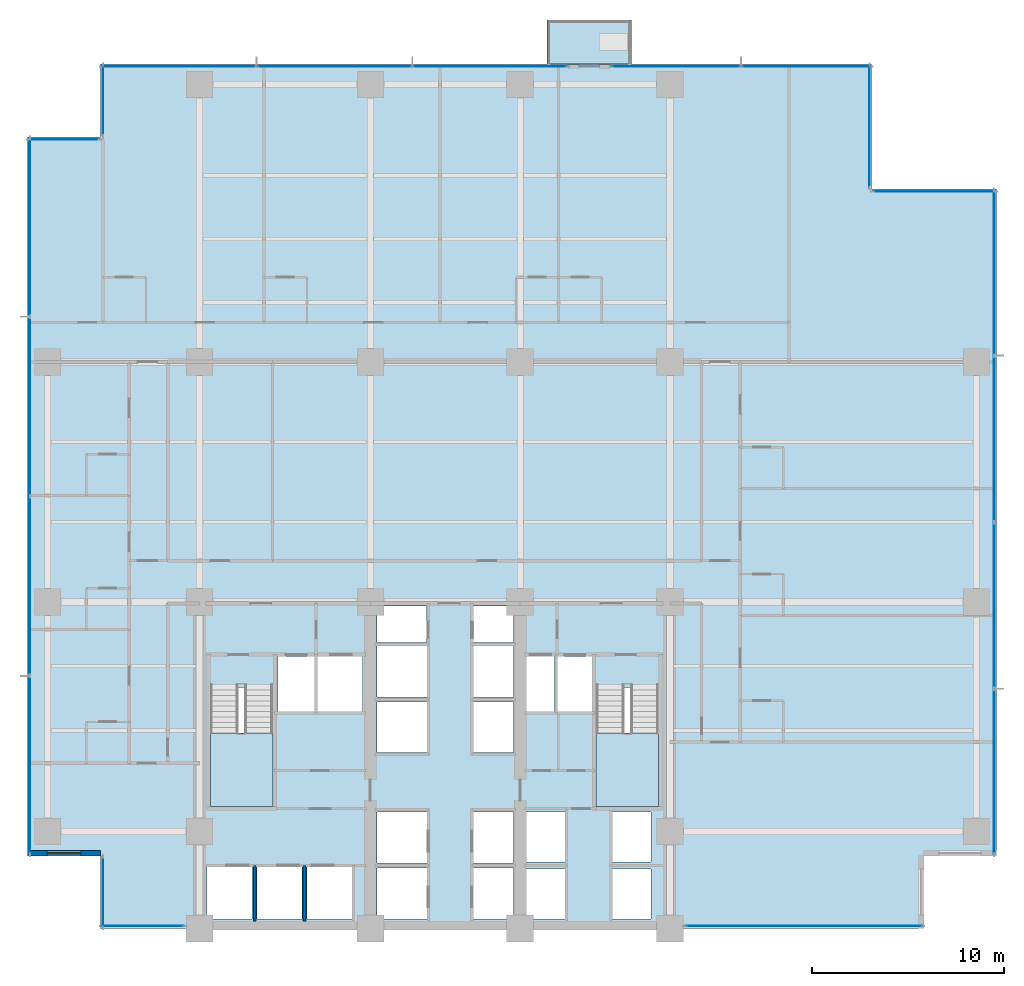
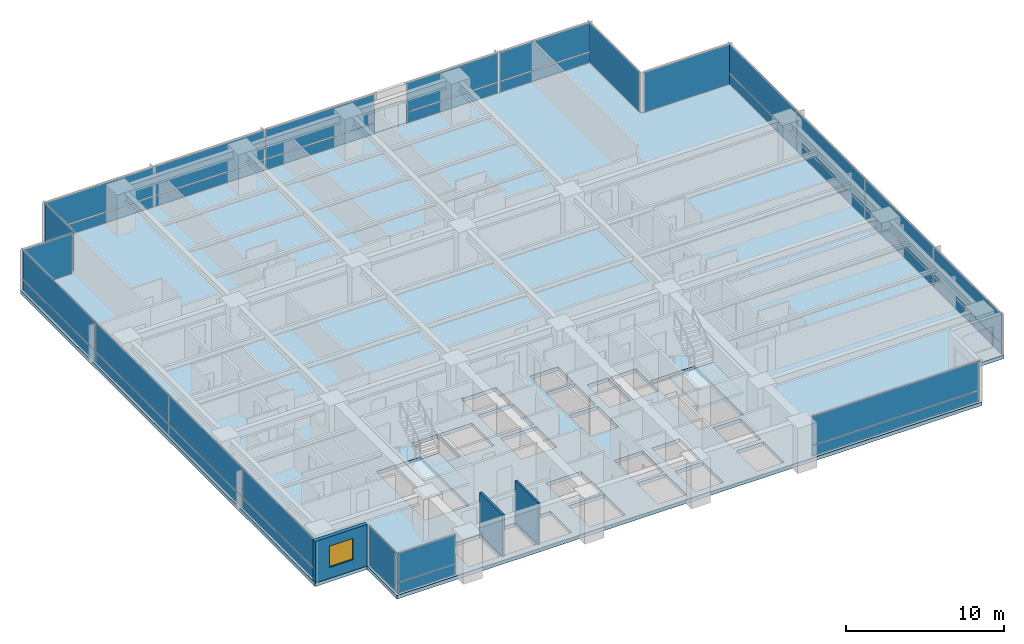
# One storey, part 6 of 16: 35 plates, 4 slabs, 3 walls, 1 window, 1 opening, 13 elements without a shape of their own.
"""IFC4 building model written with IfcOpenShell, lengths in metres."""

import ifcopenshell
import ifcopenshell.guid

model = None  # the IFC model being written
_history = None  # IfcOwnerHistory: only IFC2X3 demands one
_inside = {}  # id of a spatial element -> (the spatial element, [elements in it])
_under = {}  # id of a project, library or spatial element -> (it, [spatial elements below it])
_declared = {}  # id of a project -> (the project, [libraries it declares])
_typed = {}  # id of a type object -> (the type object, [elements of that type])
_made_of = {}  # id of a material, layer set ... -> (it, [elements and type objects made of it])


def new_model(schema):
    """Start an empty IFC model of exactly this schema.

    Asked for "IFC4X3", IfcOpenShell would pick the latest addendum, in which some entities
    have other attributes; the version numbers below select the first issue.
    IFC2X3 requires an IfcOwnerHistory on every rooted entity: one is made here for all.
    """
    global model, _history
    if schema == "IFC4X3":
        model = ifcopenshell.file(schema_version=(4, 3, 0, 0))
    else:
        model = ifcopenshell.file(schema=schema)
    _inside.clear()
    _under.clear()
    _declared.clear()
    _typed.clear()
    _made_of.clear()
    _history = None
    if model.schema == "IFC2X3":
        org = make("IfcOrganization", Name="unknown")
        user = make(
            "IfcPersonAndOrganization",
            ThePerson=make("IfcPerson", FamilyName="unknown"),
            TheOrganization=org,
        )
        app = make(
            "IfcApplication",
            ApplicationDeveloper=org,
            Version="unknown",
            ApplicationFullName="unknown",
            ApplicationIdentifier="unknown",
        )
        _history = make(
            "IfcOwnerHistory",
            OwningUser=user,
            OwningApplication=app,
            ChangeAction="ADDED",
            CreationDate=0,
        )
    return model


def make(cls, **values):
    """One entity of the class cls with the attributes given. An attribute that is None is left unset."""
    return model.create_entity(
        cls, **{name: value for name, value in values.items() if value is not None}
    )


def rooted(cls, **values):
    """An entity with a GlobalId (a new one), such as an element, a storey or a relation."""
    return make(cls, GlobalId=ifcopenshell.guid.new(), OwnerHistory=_history, **values)


def si_unit(unit_type, name, prefix=None):
    """IfcSIUnit, for example si_unit("LENGTHUNIT", "METRE", prefix="MILLI")."""
    return make("IfcSIUnit", UnitType=unit_type, Prefix=prefix, Name=name)


def assignment(units):
    """IfcUnitAssignment: the units of a project."""
    return None if units is None else make("IfcUnitAssignment", Units=units)


def point(xyz):
    """IfcCartesianPoint."""
    return None if xyz is None else make("IfcCartesianPoint", Coordinates=xyz)


def direction(xyz):
    """IfcDirection."""
    return None if xyz is None else make("IfcDirection", DirectionRatios=xyz)


def frame(location, z_axis=None, x_axis=None):
    """IfcAxis2Placement3D, a coordinate frame: its origin and axes. An axis left out is left unset."""
    return make(
        "IfcAxis2Placement3D",
        Location=point(location),
        Axis=direction(z_axis),
        RefDirection=direction(x_axis),
    )


def frame_2d(location, x_axis=None):
    """IfcAxis2Placement2D, a coordinate frame in the plane: its origin and x axis."""
    return make(
        "IfcAxis2Placement2D", Location=point(location), RefDirection=direction(x_axis)
    )


def origin():
    """The frame at (0, 0, 0) with its axes left unset."""
    return frame((0.0, 0.0, 0.0))


def origin_2d():
    """The frame at (0, 0) in the plane with its x axis left unset."""
    return frame_2d((0.0, 0.0))


def place(relative_to, where):
    """IfcLocalPlacement: puts the frame where relative to a parent placement (None: the world)."""
    return make(
        "IfcLocalPlacement", PlacementRelTo=relative_to, RelativePlacement=where
    )


def context(
    kind, dimensions, precision=None, world=None, true_north=None, identifier=None
):
    """IfcGeometricRepresentationContext, for example the 3D "Model" context."""
    return make(
        "IfcGeometricRepresentationContext",
        ContextIdentifier=identifier,
        ContextType=kind,
        CoordinateSpaceDimension=dimensions,
        Precision=precision,
        WorldCoordinateSystem=world,
        TrueNorth=true_north,
    )


def subcontext(parent, identifier, kind, view, scale=None):
    """IfcGeometricRepresentationSubContext, for example "Body" below "Model"."""
    return make(
        "IfcGeometricRepresentationSubContext",
        ContextIdentifier=identifier,
        ContextType=kind,
        ParentContext=parent,
        TargetScale=scale,
        TargetView=view,
    )


def project(units=None, contexts=None):
    """IfcProject with its units and contexts."""
    return rooted(
        "IfcProject",
        Name="project",
        RepresentationContexts=contexts,
        UnitsInContext=assignment(units),
    )


def spatial(cls, under=None, at=None, **own):
    """A site, building, storey or space (cls), placed at a placement, below another one or the project."""
    s = rooted(cls, ObjectPlacement=at, **own)
    if under is not None:
        _under.setdefault(under.id(), (under, []))[1].append(s)
    return s


def polyline(points):
    """IfcPolyline through the points."""
    return make("IfcPolyline", Points=[point(p) for p in points])


def profile(cls, at=None, kind="AREA", **sizes):
    """A parametric profile (cls). Its sizes go by their IFC names, for example OverallWidth=200.0."""
    return make(cls, ProfileType=kind, Position=at, **sizes)


def rectangle(**sizes):
    """IfcRectangleProfileDef."""
    return profile("IfcRectangleProfileDef", **sizes)


def outline(outer, holes=None, kind="AREA"):
    """IfcArbitraryClosedProfileDef: a profile drawn as a closed curve; with holes, ...WithVoids."""
    if holes is None:
        return make("IfcArbitraryClosedProfileDef", ProfileType=kind, OuterCurve=outer)
    return make(
        "IfcArbitraryProfileDefWithVoids",
        ProfileType=kind,
        OuterCurve=outer,
        InnerCurves=holes,
    )


def extrude(swept, where, along, depth):
    """IfcExtrudedAreaSolid: the profile swept, set in the frame where, extruded along a direction by depth."""
    return make(
        "IfcExtrudedAreaSolid",
        SweptArea=swept,
        Position=where,
        ExtrudedDirection=direction(along),
        Depth=depth,
    )


def shape(context_of_items, identifier, shape_type, items):
    """IfcShapeRepresentation: the items that make up one representation, for example the "Body"."""
    return make(
        "IfcShapeRepresentation",
        ContextOfItems=context_of_items,
        RepresentationIdentifier=identifier,
        RepresentationType=shape_type,
        Items=items,
    )


def material(Name=None, Category=None):
    """IfcMaterial."""
    return make("IfcMaterial", Name=Name, Category=Category)


def layer(
    of_material, thickness, ventilated=None, Name=None, Category=None, Priority=None
):
    """IfcMaterialLayer: one layer of a wall or slab, of a material (None: an air gap)."""
    return make(
        "IfcMaterialLayer",
        Material=of_material,
        LayerThickness=thickness,
        IsVentilated=ventilated,
        Name=Name,
        Category=Category,
        Priority=Priority,
    )


def layer_set(layers, Name=None):
    """IfcMaterialLayerSet."""
    return make("IfcMaterialLayerSet", MaterialLayers=layers, LayerSetName=Name)


def made_of(thing, what):
    """Note that an element or type object is made of a material, layer set ...; save() writes the relation."""
    if what is not None:
        _made_of.setdefault(what.id(), (what, []))[1].append(thing)
    return thing


def type_object(cls, material=None, **own):
    """A type object (cls), such as IfcWallType, which elements share."""
    return made_of(rooted(cls, **own), material)


def element(
    cls,
    number,
    at=None,
    inside=None,
    cuts=None,
    type_object=None,
    material=None,
    context=None,
    identifier="Body",
    shape_type=None,
    held_by="IfcProductDefinitionShape",
    body=None,
    shapes=None,
    **own,
):
    """One element of the class cls, such as IfcWall. Its Tag is "e" and its number.

    at: its placement. inside: the storey or other place that contains it. cuts: it is an
    opening in that element (IfcRelVoidsElement). A single representation is given by context,
    identifier, shape_type and body (its items); several are given by shapes. held_by: the class
    of the entity that holds the representations. save() writes the other relations.
    """
    e = rooted(cls, Tag="e%d" % number, ObjectPlacement=at, **own)
    if body is not None:
        shapes = [shape(context, identifier, shape_type, body)]
    if shapes is not None:
        e.Representation = make(held_by, Representations=shapes)
    if inside is not None:
        _inside.setdefault(inside.id(), (inside, []))[1].append(e)
    if cuts is not None:
        rooted(
            "IfcRelVoidsElement", RelatingBuildingElement=cuts, RelatedOpeningElement=e
        )
    if type_object is not None:
        _typed.setdefault(type_object.id(), (type_object, []))[1].append(e)
    return made_of(e, material)


def fill(opening, filler):
    """IfcRelFillsElement: the door or window that sits in an opening."""
    return rooted(
        "IfcRelFillsElement",
        RelatingOpeningElement=opening,
        RelatedBuildingElement=filler,
    )


def aggregate(whole, parts):
    """IfcRelAggregates: a whole, such as a stair, and the parts it consists of."""
    return rooted("IfcRelAggregates", RelatingObject=whole, RelatedObjects=parts)


def save(model, path):
    """Write the relations noted so far, then the file.

    IfcRelAggregates (storeys below a building ...), IfcRelContainedInSpatialStructure (elements
    in a storey), IfcRelDefinesByType, IfcRelAssociatesMaterial and IfcRelDeclares: one each for
    every whole, place, type object, material and project.
    """
    for whole, parts in _under.values():
        aggregate(whole, parts)
    for where, things in _inside.values():
        rooted(
            "IfcRelContainedInSpatialStructure",
            RelatedElements=things,
            RelatingStructure=where,
        )
    for kind, things in _typed.values():
        rooted("IfcRelDefinesByType", RelatedObjects=things, RelatingType=kind)
    for what, things in _made_of.values():
        rooted("IfcRelAssociatesMaterial", RelatedObjects=things, RelatingMaterial=what)
    for by, libraries in _declared.values():
        rooted("IfcRelDeclares", RelatingContext=by, RelatedDefinitions=libraries)
    model.write(path)


model = new_model("IFC4")

# Units and contexts
model_context = context("Model", 3, precision=1e-05, world=origin(), true_north=direction((0.0, 1.0)))
body_context = subcontext(model_context, "Body", "Model", "MODEL_VIEW")
ifc_project = project(units=[si_unit("LENGTHUNIT", "METRE"), si_unit("AREAUNIT", "SQUARE_METRE"), si_unit("VOLUMEUNIT", "CUBIC_METRE"), si_unit("PLANEANGLEUNIT", "RADIAN"), si_unit("MASSUNIT", "GRAM", prefix="KILO")], contexts=[model_context])

# Site, building, storey
site_placement = place(None, origin())
site = spatial("IfcSite", under=ifc_project, at=site_placement, CompositionType="ELEMENT")
building_placement = place(site_placement, origin())
building = spatial("IfcBuilding", under=site, at=building_placement, Name="Qalmaran Belvedere Hotel", CompositionType="ELEMENT")
storey_placement = place(building_placement, frame((0.0, 0.0, 64.89990234375)))
storey = spatial("IfcBuildingStorey", under=building, at=storey_placement, Name="L16", CompositionType="ELEMENT", Elevation=64.89990234375)

# Curtain wall, plate
ifc_material_1 = material(Name="Anodised Bronze Aluminium", Category="aluminium")
ifc_layer_1 = layer(ifc_material_1, 0.2099609375, Name="Anodised Bronze Aluminium")
ifc_layer_set_1 = layer_set([ifc_layer_1], Name="Anodised Bronze Aluminium")
curtain_wall_type = type_object("IfcCurtainWallType", Name="CW2-TOWER-LOWER", PredefinedType="NOTDEFINED", material=ifc_layer_set_1)
curtain_wall_1_placement = place(storey_placement, origin())
curtain_wall_1 = element("IfcCurtainWall", 1, at=curtain_wall_1_placement, inside=storey, type_object=curtain_wall_type, Name="L16 Curtain Wall CW2", PredefinedType="NOTDEFINED")
ifc_material_2 = material(Name="Anodised Bronze Spandrel Panel")
ifc_layer_2 = layer(ifc_material_2, 0.035888671875, Name="Anodised Bronze Spandrel Panel")
ifc_layer_set_2 = layer_set([ifc_layer_2], Name="Anodised Bronze Spandrel Panel")
plate_type_1 = type_object("IfcPlateType", Name="CWP-SPANDREL-36", PredefinedType="CURTAIN_PANEL", material=ifc_layer_set_2)
plate_1_placement = place(storey_placement, frame((17.35498046875, 3.6201171875, 0.0703125), z_axis=(0.0, 0.0, 1.0), x_axis=(1.0, 0.0, 0.0)))
plate_1 = element("IfcPlate", 2, at=plate_1_placement, type_object=plate_type_1, Name="CW2 panel 1.1", PredefinedType="CURTAIN_PANEL", context=body_context, shape_type="SweptSolid", body=[
    extrude(rectangle(XDim=4.260009765625, YDim=0.035888671875, at=origin_2d()), origin(), (0.0, 0.0, 1.0), 0.796630859375),
])

curtain_wall_2_placement = place(storey_placement, origin())
curtain_wall_2 = element("IfcCurtainWall", 3, at=curtain_wall_2_placement, inside=storey, type_object=curtain_wall_type, Name="L16 Curtain Wall CW2", PredefinedType="NOTDEFINED")
plate_2_placement = place(storey_placement, frame((51.77001953125, 3.6201171875, 0.0703125), z_axis=(0.0, 0.0, 1.0), x_axis=(1.0, 0.0, 0.0)))
plate_2 = element("IfcPlate", 4, at=plate_2_placement, type_object=plate_type_1, Name="CW2 panel 1.1", PredefinedType="CURTAIN_PANEL", context=body_context, shape_type="SweptSolid", body=[
    extrude(rectangle(XDim=12.31005859375, YDim=0.035888671875, at=origin_2d()), origin(), (0.0, 0.0, 1.0), 0.796630859375),
])

# Curtain wall, plates
curtain_wall_3_placement = place(storey_placement, origin())
curtain_wall_3 = element("IfcCurtainWall", 5, at=curtain_wall_3_placement, inside=storey, type_object=curtain_wall_type, Name="L16 Curtain Wall CW2", PredefinedType="NOTDEFINED")
plate_3_placement = place(storey_placement, frame((61.679931640625, 11.65625, 0.0703125), z_axis=(0.0, 0.0, 1.0), x_axis=(0.0, 1.0, 0.0)))
plate_3 = element("IfcPlate", 6, at=plate_3_placement, type_object=plate_type_1, Name="CW2 panel 1.1", PredefinedType="CURTAIN_PANEL", context=body_context, shape_type="SweptSolid", body=[
    extrude(rectangle(XDim=8.5625, YDim=0.035888671875, at=origin_2d()), origin(), (0.0, 0.0, 1.0), 0.796630859375),
])
plate_4_placement = place(storey_placement, frame((61.679931640625, 20.3125, 0.0703125), z_axis=(0.0, 0.0, 1.0), x_axis=(0.0, 1.0, 0.0)))
plate_4 = element("IfcPlate", 7, at=plate_4_placement, type_object=plate_type_1, Name="CW2 panel 2.1", PredefinedType="CURTAIN_PANEL", context=body_context, shape_type="SweptSolid", body=[
    extrude(rectangle(XDim=8.60009765625, YDim=0.035888671875, at=origin_2d()), origin(), (0.0, 0.0, 1.0), 0.796630859375),
])
plate_5_placement = place(storey_placement, frame((61.679931640625, 28.987548828125, 0.0703125), z_axis=(0.0, 0.0, 1.0), x_axis=(0.0, 1.0, 0.0)))
plate_5 = element("IfcPlate", 8, at=plate_5_placement, type_object=plate_type_1, Name="CW2 panel 3.1", PredefinedType="CURTAIN_PANEL", context=body_context, shape_type="SweptSolid", body=[
    extrude(rectangle(XDim=8.60009765625, YDim=0.035888671875, at=origin_2d()), origin(), (0.0, 0.0, 1.0), 0.796630859375),
])
plate_6_placement = place(storey_placement, frame((61.679931640625, 37.643798828125, 0.0703125), z_axis=(0.0, 0.0, 1.0), x_axis=(0.0, 1.0, 0.0)))
plate_6 = element("IfcPlate", 9, at=plate_6_placement, type_object=plate_type_1, Name="CW2 panel 4.1", PredefinedType="CURTAIN_PANEL", context=body_context, shape_type="SweptSolid", body=[
    extrude(rectangle(XDim=8.5625, YDim=0.035888671875, at=origin_2d()), origin(), (0.0, 0.0, 1.0), 0.796630859375),
])

curtain_wall_4_placement = place(storey_placement, origin())
curtain_wall_4 = element("IfcCurtainWall", 10, at=curtain_wall_4_placement, inside=storey, type_object=curtain_wall_type, Name="L16 Curtain Wall CW2", PredefinedType="NOTDEFINED")
plate_7_placement = place(storey_placement, frame((35.4228515625, 48.3798828125, 0.0703125), z_axis=(0.0, 0.0, 1.0), x_axis=(-1.0, 0.0, 0.0)))
plate_7 = element("IfcPlate", 11, at=plate_7_placement, type_object=plate_type_1, Name="CW2 panel 1.1", PredefinedType="CURTAIN_PANEL", context=body_context, shape_type="SweptSolid", body=[
    extrude(rectangle(XDim=8.004150390625, YDim=0.035888671875, at=origin_2d()), origin(), (0.0, 0.0, 1.0), 0.796630859375),
])
plate_8_placement = place(storey_placement, frame((27.324951171875, 48.3798828125, 0.0703125), z_axis=(0.0, 0.0, 1.0), x_axis=(-1.0, 0.0, 0.0)))
plate_8 = element("IfcPlate", 12, at=plate_8_placement, type_object=plate_type_1, Name="CW2 panel 2.1", PredefinedType="CURTAIN_PANEL", context=body_context, shape_type="SweptSolid", body=[
    extrude(rectangle(XDim=8.041748046875, YDim=0.035888671875, at=origin_2d()), origin(), (0.0, 0.0, 1.0), 0.796630859375),
])
plate_9_placement = place(storey_placement, frame((19.22705078125, 48.3798828125, 0.0703125), z_axis=(0.0, 0.0, 1.0), x_axis=(-1.0, 0.0, 0.0)))
plate_9 = element("IfcPlate", 13, at=plate_9_placement, type_object=plate_type_1, Name="CW2 panel 3.1", PredefinedType="CURTAIN_PANEL", context=body_context, shape_type="SweptSolid", body=[
    extrude(rectangle(XDim=8.004150390625, YDim=0.035888671875, at=origin_2d()), origin(), (0.0, 0.0, 1.0), 0.796630859375),
])

curtain_wall_5_placement = place(storey_placement, origin())
curtain_wall_5 = element("IfcCurtainWall", 14, at=curtain_wall_5_placement, inside=storey, type_object=curtain_wall_type, Name="L16 Curtain Wall CW2", PredefinedType="NOTDEFINED")
plate_10_placement = place(storey_placement, frame((51.88134765625, 48.3798828125, 0.0703125), z_axis=(0.0, 0.0, 1.0), x_axis=(-1.0, 0.0, 0.0)))
plate_10 = element("IfcPlate", 15, at=plate_10_placement, type_object=plate_type_1, Name="CW2 panel 1.1", PredefinedType="CURTAIN_PANEL", context=body_context, shape_type="SweptSolid", body=[
    extrude(rectangle(XDim=6.6875, YDim=0.035888671875, at=origin_2d()), origin(), (0.0, 0.0, 1.0), 0.796630859375),
])
plate_11_placement = place(storey_placement, frame((45.11865234375, 48.3798828125, 0.0703125), z_axis=(0.0, 0.0, 1.0), x_axis=(-1.0, 0.0, 0.0)))
plate_11 = element("IfcPlate", 16, at=plate_11_placement, type_object=plate_type_1, Name="CW2 panel 2.1", PredefinedType="CURTAIN_PANEL", context=body_context, shape_type="SweptSolid", body=[
    extrude(rectangle(XDim=6.6875, YDim=0.035888671875, at=origin_2d()), origin(), (0.0, 0.0, 1.0), 0.796630859375),
])

curtain_wall_6_placement = place(storey_placement, origin())
curtain_wall_6 = element("IfcCurtainWall", 17, at=curtain_wall_6_placement, inside=storey, type_object=curtain_wall_type, Name="L16 Curtain Wall CW2", PredefinedType="NOTDEFINED")
plate_12_placement = place(storey_placement, frame((11.469970703125, 40.00634765625, 0.0703125), z_axis=(0.0, 0.0, 1.0), x_axis=(0.0, -1.0, 0.0)))
plate_12 = element("IfcPlate", 18, at=plate_12_placement, type_object=plate_type_1, Name="CW2 panel 1.1", PredefinedType="CURTAIN_PANEL", context=body_context, shape_type="SweptSolid", body=[
    extrude(rectangle(XDim=9.237548828125, YDim=0.035888671875, at=origin_2d()), origin(), (0.0, 0.0, 1.0), 0.796630859375),
])
plate_13_placement = place(storey_placement, frame((11.469970703125, 30.675048828125, 0.0703125), z_axis=(0.0, 0.0, 1.0), x_axis=(0.0, -1.0, 0.0)))
plate_13 = element("IfcPlate", 19, at=plate_13_placement, type_object=plate_type_1, Name="CW2 panel 2.1", PredefinedType="CURTAIN_PANEL", context=body_context, shape_type="SweptSolid", body=[
    extrude(rectangle(XDim=9.27490234375, YDim=0.035888671875, at=origin_2d()), origin(), (0.0, 0.0, 1.0), 0.796630859375),
])
plate_14_placement = place(storey_placement, frame((11.469970703125, 21.324951171875, 0.0703125), z_axis=(0.0, 0.0, 1.0), x_axis=(0.0, -1.0, 0.0)))
plate_14 = element("IfcPlate", 20, at=plate_14_placement, type_object=plate_type_1, Name="CW2 panel 3.1", PredefinedType="CURTAIN_PANEL", context=body_context, shape_type="SweptSolid", body=[
    extrude(rectangle(XDim=9.27490234375, YDim=0.035888671875, at=origin_2d()), origin(), (0.0, 0.0, 1.0), 0.796630859375),
])
plate_15_placement = place(storey_placement, frame((11.469970703125, 11.99365234375, 0.0703125), z_axis=(0.0, 0.0, 1.0), x_axis=(0.0, -1.0, 0.0)))
plate_15 = element("IfcPlate", 21, at=plate_15_placement, type_object=plate_type_1, Name="CW2 panel 4.1", PredefinedType="CURTAIN_PANEL", context=body_context, shape_type="SweptSolid", body=[
    extrude(rectangle(XDim=9.237548828125, YDim=0.035888671875, at=origin_2d()), origin(), (0.0, 0.0, 1.0), 0.796630859375),
])

# Plate
ifc_material_3 = material(Name="Solar-Control Double Glazing", Category="glass")
ifc_layer_3 = layer(ifc_material_3, 0.028076171875, Name="Solar-Control Double Glazing")
ifc_layer_set_3 = layer_set([ifc_layer_3], Name="Solar-Control Double Glazing")
plate_type_2 = type_object("IfcPlateType", Name="CWP-VISION-28", PredefinedType="CURTAIN_PANEL", material=ifc_layer_set_3)
plate_16_placement = place(storey_placement, frame((17.35498046875, 3.6201171875, 0.936767578125), z_axis=(0.0, 0.0, 1.0), x_axis=(1.0, 0.0, 0.0)))
plate_16 = element("IfcPlate", 22, at=plate_16_placement, type_object=plate_type_2, Name="CW2 panel 1.2", PredefinedType="CURTAIN_PANEL", context=body_context, shape_type="SweptSolid", body=[
    extrude(rectangle(XDim=4.260009765625, YDim=0.028076171875, at=origin_2d()), origin(), (0.0, 0.0, 1.0), 2.21337890625),
])

aggregate(curtain_wall_1, [plate_1, plate_16])

plate_17_placement = place(storey_placement, frame((51.77001953125, 3.6201171875, 0.936767578125), z_axis=(0.0, 0.0, 1.0), x_axis=(1.0, 0.0, 0.0)))
plate_17 = element("IfcPlate", 23, at=plate_17_placement, type_object=plate_type_2, Name="CW2 panel 1.2", PredefinedType="CURTAIN_PANEL", context=body_context, shape_type="SweptSolid", body=[
    extrude(rectangle(XDim=12.31005859375, YDim=0.028076171875, at=origin_2d()), origin(), (0.0, 0.0, 1.0), 2.21337890625),
])

aggregate(curtain_wall_2, [plate_2, plate_17])

plate_18_placement = place(storey_placement, frame((61.679931640625, 11.65625, 0.936767578125), z_axis=(0.0, 0.0, 1.0), x_axis=(0.0, 1.0, 0.0)))
plate_18 = element("IfcPlate", 24, at=plate_18_placement, type_object=plate_type_2, Name="CW2 panel 1.2", PredefinedType="CURTAIN_PANEL", context=body_context, shape_type="SweptSolid", body=[
    extrude(rectangle(XDim=8.5625, YDim=0.028076171875, at=origin_2d()), origin(), (0.0, 0.0, 1.0), 2.21337890625),
])

plate_19_placement = place(storey_placement, frame((61.679931640625, 20.3125, 0.936767578125), z_axis=(0.0, 0.0, 1.0), x_axis=(0.0, 1.0, 0.0)))
plate_19 = element("IfcPlate", 25, at=plate_19_placement, type_object=plate_type_2, Name="CW2 panel 2.2", PredefinedType="CURTAIN_PANEL", context=body_context, shape_type="SweptSolid", body=[
    extrude(rectangle(XDim=8.60009765625, YDim=0.028076171875, at=origin_2d()), origin(), (0.0, 0.0, 1.0), 2.21337890625),
])

plate_20_placement = place(storey_placement, frame((61.679931640625, 28.987548828125, 0.936767578125), z_axis=(0.0, 0.0, 1.0), x_axis=(0.0, 1.0, 0.0)))
plate_20 = element("IfcPlate", 26, at=plate_20_placement, type_object=plate_type_2, Name="CW2 panel 3.2", PredefinedType="CURTAIN_PANEL", context=body_context, shape_type="SweptSolid", body=[
    extrude(rectangle(XDim=8.60009765625, YDim=0.028076171875, at=origin_2d()), origin(), (0.0, 0.0, 1.0), 2.21337890625),
])

plate_21_placement = place(storey_placement, frame((61.679931640625, 37.643798828125, 0.936767578125), z_axis=(0.0, 0.0, 1.0), x_axis=(0.0, 1.0, 0.0)))
plate_21 = element("IfcPlate", 27, at=plate_21_placement, type_object=plate_type_2, Name="CW2 panel 4.2", PredefinedType="CURTAIN_PANEL", context=body_context, shape_type="SweptSolid", body=[
    extrude(rectangle(XDim=8.5625, YDim=0.028076171875, at=origin_2d()), origin(), (0.0, 0.0, 1.0), 2.21337890625),
])

aggregate(curtain_wall_3, [plate_3, plate_18, plate_4, plate_19, plate_5, plate_20, plate_6, plate_21])

# Curtain wall, plate
curtain_wall_7_placement = place(storey_placement, origin())
curtain_wall_7 = element("IfcCurtainWall", 28, at=curtain_wall_7_placement, inside=storey, type_object=curtain_wall_type, Name="L16 Curtain Wall CW2", PredefinedType="NOTDEFINED")
plate_22_placement = place(storey_placement, frame((58.550048828125, 41.8798828125, 0.070068359375), z_axis=(0.0, 0.0, 1.0), x_axis=(-1.0, 0.0, 0.0)))
plate_22 = element("IfcPlate", 29, at=plate_22_placement, type_object=plate_type_2, Name="CW2 panel 1.1", PredefinedType="CURTAIN_PANEL", context=body_context, shape_type="SweptSolid", body=[
    extrude(rectangle(XDim=6.35009765625, YDim=0.028076171875, at=origin_2d()), origin(), (0.0, 0.0, 1.0), 3.080078125),
])
aggregate(curtain_wall_7, [plate_22])

curtain_wall_8_placement = place(storey_placement, origin())
curtain_wall_8 = element("IfcCurtainWall", 30, at=curtain_wall_8_placement, inside=storey, type_object=curtain_wall_type, Name="L16 Curtain Wall CW2", PredefinedType="NOTDEFINED")
plate_23_placement = place(storey_placement, frame((55.179931640625, 45.25, 0.070068359375), z_axis=(0.0, 0.0, 1.0), x_axis=(0.0, 1.0, 0.0)))
plate_23 = element("IfcPlate", 31, at=plate_23_placement, type_object=plate_type_2, Name="CW2 panel 1.1", PredefinedType="CURTAIN_PANEL", context=body_context, shape_type="SweptSolid", body=[
    extrude(rectangle(XDim=6.35009765625, YDim=0.028076171875, at=origin_2d()), origin(), (0.0, 0.0, 1.0), 3.080078125),
])
aggregate(curtain_wall_8, [plate_23])

# Plate
plate_24_placement = place(storey_placement, frame((35.4228515625, 48.3798828125, 0.936767578125), z_axis=(0.0, 0.0, 1.0), x_axis=(-1.0, 0.0, 0.0)))
plate_24 = element("IfcPlate", 32, at=plate_24_placement, type_object=plate_type_2, Name="CW2 panel 1.2", PredefinedType="CURTAIN_PANEL", context=body_context, shape_type="SweptSolid", body=[
    extrude(rectangle(XDim=8.004150390625, YDim=0.028076171875, at=origin_2d()), origin(), (0.0, 0.0, 1.0), 2.21337890625),
])

plate_25_placement = place(storey_placement, frame((27.324951171875, 48.3798828125, 0.936767578125), z_axis=(0.0, 0.0, 1.0), x_axis=(-1.0, 0.0, 0.0)))
plate_25 = element("IfcPlate", 33, at=plate_25_placement, type_object=plate_type_2, Name="CW2 panel 2.2", PredefinedType="CURTAIN_PANEL", context=body_context, shape_type="SweptSolid", body=[
    extrude(rectangle(XDim=8.041748046875, YDim=0.028076171875, at=origin_2d()), origin(), (0.0, 0.0, 1.0), 2.21337890625),
])

plate_26_placement = place(storey_placement, frame((19.22705078125, 48.3798828125, 0.936767578125), z_axis=(0.0, 0.0, 1.0), x_axis=(-1.0, 0.0, 0.0)))
plate_26 = element("IfcPlate", 34, at=plate_26_placement, type_object=plate_type_2, Name="CW2 panel 3.2", PredefinedType="CURTAIN_PANEL", context=body_context, shape_type="SweptSolid", body=[
    extrude(rectangle(XDim=8.004150390625, YDim=0.028076171875, at=origin_2d()), origin(), (0.0, 0.0, 1.0), 2.21337890625),
])

aggregate(curtain_wall_4, [plate_7, plate_24, plate_8, plate_25, plate_9, plate_26])

plate_27_placement = place(storey_placement, frame((51.88134765625, 48.3798828125, 0.936767578125), z_axis=(0.0, 0.0, 1.0), x_axis=(-1.0, 0.0, 0.0)))
plate_27 = element("IfcPlate", 35, at=plate_27_placement, type_object=plate_type_2, Name="CW2 panel 1.2", PredefinedType="CURTAIN_PANEL", context=body_context, shape_type="SweptSolid", body=[
    extrude(rectangle(XDim=6.6875, YDim=0.028076171875, at=origin_2d()), origin(), (0.0, 0.0, 1.0), 2.21337890625),
])

plate_28_placement = place(storey_placement, frame((45.11865234375, 48.3798828125, 0.936767578125), z_axis=(0.0, 0.0, 1.0), x_axis=(-1.0, 0.0, 0.0)))
plate_28 = element("IfcPlate", 36, at=plate_28_placement, type_object=plate_type_2, Name="CW2 panel 2.2", PredefinedType="CURTAIN_PANEL", context=body_context, shape_type="SweptSolid", body=[
    extrude(rectangle(XDim=6.6875, YDim=0.028076171875, at=origin_2d()), origin(), (0.0, 0.0, 1.0), 2.21337890625),
])

aggregate(curtain_wall_5, [plate_10, plate_27, plate_11, plate_28])

# Curtain wall, plate
curtain_wall_9_placement = place(storey_placement, origin())
curtain_wall_9 = element("IfcCurtainWall", 37, at=curtain_wall_9_placement, inside=storey, type_object=curtain_wall_type, Name="L16 Curtain Wall CW2", PredefinedType="NOTDEFINED")
plate_29_placement = place(storey_placement, frame((15.27001953125, 46.60009765625, 0.070068359375), z_axis=(0.0, 0.0, 1.0), x_axis=(0.0, -1.0, 0.0)))
plate_29 = element("IfcPlate", 38, at=plate_29_placement, type_object=plate_type_2, Name="CW2 panel 1.1", PredefinedType="CURTAIN_PANEL", context=body_context, shape_type="SweptSolid", body=[
    extrude(rectangle(XDim=3.64990234375, YDim=0.028076171875, at=origin_2d()), origin(), (0.0, 0.0, 1.0), 3.080078125),
])
aggregate(curtain_wall_9, [plate_29])

curtain_wall_10_placement = place(storey_placement, origin())
curtain_wall_10 = element("IfcCurtainWall", 39, at=curtain_wall_10_placement, inside=storey, type_object=curtain_wall_type, Name="L16 Curtain Wall CW2", PredefinedType="NOTDEFINED")
plate_30_placement = place(storey_placement, frame((13.25, 44.580078125, 0.070068359375), z_axis=(0.0, 0.0, 1.0), x_axis=(-1.0, 0.0, 0.0)))
plate_30 = element("IfcPlate", 40, at=plate_30_placement, type_object=plate_type_2, Name="CW2 panel 1.1", PredefinedType="CURTAIN_PANEL", context=body_context, shape_type="SweptSolid", body=[
    extrude(rectangle(XDim=3.64990234375, YDim=0.028076171875, at=origin_2d()), origin(), (0.0, 0.0, 1.0), 3.080078125),
])
aggregate(curtain_wall_10, [plate_30])

# Plate
plate_31_placement = place(storey_placement, frame((11.469970703125, 40.00634765625, 0.936767578125), z_axis=(0.0, 0.0, 1.0), x_axis=(0.0, -1.0, 0.0)))
plate_31 = element("IfcPlate", 41, at=plate_31_placement, type_object=plate_type_2, Name="CW2 panel 1.2", PredefinedType="CURTAIN_PANEL", context=body_context, shape_type="SweptSolid", body=[
    extrude(rectangle(XDim=9.237548828125, YDim=0.028076171875, at=origin_2d()), origin(), (0.0, 0.0, 1.0), 2.21337890625),
])

plate_32_placement = place(storey_placement, frame((11.469970703125, 30.675048828125, 0.936767578125), z_axis=(0.0, 0.0, 1.0), x_axis=(0.0, -1.0, 0.0)))
plate_32 = element("IfcPlate", 42, at=plate_32_placement, type_object=plate_type_2, Name="CW2 panel 2.2", PredefinedType="CURTAIN_PANEL", context=body_context, shape_type="SweptSolid", body=[
    extrude(rectangle(XDim=9.27490234375, YDim=0.028076171875, at=origin_2d()), origin(), (0.0, 0.0, 1.0), 2.21337890625),
])

plate_33_placement = place(storey_placement, frame((11.469970703125, 21.324951171875, 0.936767578125), z_axis=(0.0, 0.0, 1.0), x_axis=(0.0, -1.0, 0.0)))
plate_33 = element("IfcPlate", 43, at=plate_33_placement, type_object=plate_type_2, Name="CW2 panel 3.2", PredefinedType="CURTAIN_PANEL", context=body_context, shape_type="SweptSolid", body=[
    extrude(rectangle(XDim=9.27490234375, YDim=0.028076171875, at=origin_2d()), origin(), (0.0, 0.0, 1.0), 2.21337890625),
])

plate_34_placement = place(storey_placement, frame((11.469970703125, 11.99365234375, 0.936767578125), z_axis=(0.0, 0.0, 1.0), x_axis=(0.0, -1.0, 0.0)))
plate_34 = element("IfcPlate", 44, at=plate_34_placement, type_object=plate_type_2, Name="CW2 panel 4.2", PredefinedType="CURTAIN_PANEL", context=body_context, shape_type="SweptSolid", body=[
    extrude(rectangle(XDim=9.237548828125, YDim=0.028076171875, at=origin_2d()), origin(), (0.0, 0.0, 1.0), 2.21337890625),
])

aggregate(curtain_wall_6, [plate_12, plate_31, plate_13, plate_32, plate_14, plate_33, plate_15, plate_34])

# Curtain wall, plate
curtain_wall_11_placement = place(storey_placement, origin())
curtain_wall_11 = element("IfcCurtainWall", 45, at=curtain_wall_11_placement, inside=storey, type_object=curtain_wall_type, Name="L16 Curtain Wall CW2", PredefinedType="NOTDEFINED")
plate_35_placement = place(storey_placement, frame((15.27001953125, 5.39990234375, 0.070068359375), z_axis=(0.0, 0.0, 1.0), x_axis=(0.0, -1.0, 0.0)))
plate_35 = element("IfcPlate", 46, at=plate_35_placement, type_object=plate_type_2, Name="CW2 panel 1.1", PredefinedType="CURTAIN_PANEL", context=body_context, shape_type="SweptSolid", body=[
    extrude(rectangle(XDim=3.64990234375, YDim=0.028076171875, at=origin_2d()), origin(), (0.0, 0.0, 1.0), 3.080078125),
])
aggregate(curtain_wall_11, [plate_35])

# Slab
ifc_material_4 = material(Name="Concrete C40/50", Category="concrete")
ifc_layer_4 = layer(ifc_material_4, 0.219970703125, Name="Concrete C40/50")
ifc_layer_set_4 = layer_set([ifc_layer_4], Name="Concrete C40/50")
slab_type_1 = type_object("IfcSlabType", Name="SLB-BAL-220", PredefinedType="USERDEFINED", material=ifc_layer_set_4)
slab_1_placement = place(storey_placement, frame((0.0, 0.0, -0.219970703125)))
element("IfcSlab", 47, at=slab_1_placement, inside=storey, type_object=slab_type_1, Name="L16 Planted Tree Balcony Slab 1", ObjectType="BALCONY", PredefinedType="USERDEFINED", context=body_context, shape_type="SweptSolid", body=[
    extrude(outline(polyline([(38.39990234375, 48.5), (42.800048828125, 48.5), (42.800048828125, 50.800048828125), (38.39990234375, 50.800048828125), (38.39990234375, 48.5)])), origin(), (0.0, 0.0, 1.0), 0.219970703125),
])

# Stair, slab
stair_type_1 = type_object("IfcStairType", Name="STR-ST-1-1450-R1750", PredefinedType="HALF_TURN_STAIR", material=ifc_material_4)
stair_1_placement = place(storey_placement, origin())
stair_1 = element("IfcStair", 48, at=stair_1_placement, inside=storey, type_object=stair_type_1, Name="L16 West Core Exit Stair ST-1", PredefinedType="HALF_TURN_STAIR")
ifc_layer_5 = layer(ifc_material_4, 0.199951171875, Name="Concrete C40/50")
ifc_layer_set_5 = layer_set([ifc_layer_5], Name="Concrete C40/50")
slab_type_2 = type_object("IfcSlabType", Name="SLB-STAIR-LANDING-200", PredefinedType="LANDING", material=ifc_layer_set_5)
slab_2_placement = place(storey_placement, frame((0.0, 0.0, 1.550048828125)))
slab_2 = element("IfcSlab", 49, at=slab_2_placement, type_object=slab_type_2, Name="ST-1 landing 1", PredefinedType="LANDING", context=body_context, shape_type="SweptSolid", body=[
    extrude(outline(polyline([(20.8798828125, 13.669921875), (20.8798828125, 9.85009765625), (24.1201171875, 9.85009765625), (24.1201171875, 13.669921875), (20.8798828125, 13.669921875)])), origin(), (0.0, 0.0, 1.0), 0.199951171875),
])
aggregate(stair_1, [slab_2])

stair_type_2 = type_object("IfcStairType", Name="STR-ST-2-1450-R1750", PredefinedType="HALF_TURN_STAIR", material=ifc_material_4)
stair_2_placement = place(storey_placement, origin())
stair_2 = element("IfcStair", 50, at=stair_2_placement, inside=storey, type_object=stair_type_2, Name="L16 East Core Exit Stair ST-2", PredefinedType="HALF_TURN_STAIR")
slab_3_placement = place(storey_placement, frame((0.0, 0.0, 1.550048828125)))
slab_3 = element("IfcSlab", 51, at=slab_3_placement, type_object=slab_type_2, Name="ST-2 landing 1", PredefinedType="LANDING", context=body_context, shape_type="SweptSolid", body=[
    extrude(outline(polyline([(40.9599609375, 13.669921875), (40.9599609375, 9.85009765625), (44.199951171875, 9.85009765625), (44.199951171875, 13.669921875), (40.9599609375, 13.669921875)])), origin(), (0.0, 0.0, 1.0), 0.199951171875),
])
aggregate(stair_2, [slab_3])

# Slab
ifc_layer_6 = layer(ifc_material_4, 0.280029296875, Name="Concrete C40/50")
ifc_layer_set_6 = layer_set([ifc_layer_6], Name="Concrete C40/50")
slab_type_3 = type_object("IfcSlabType", Name="SLB-Z1-280", PredefinedType="FLOOR", material=ifc_layer_set_6)
slab_4_placement = place(storey_placement, frame((0.0, 0.0, -0.27978515625)))
element("IfcSlab", 52, at=slab_4_placement, inside=storey, type_object=slab_type_3, Name="L16 Structural Floor Slab", PredefinedType="FLOOR", context=body_context, shape_type="SweptSolid", body=[
    extrude(outline(polyline([(15.14990234375, 3.5), (58.0, 3.5), (58.0, 7.300048828125), (61.800048828125, 7.300048828125), (61.800048828125, 42.0), (55.300048828125, 42.0), (55.300048828125, 48.5), (15.14990234375, 48.5), (15.14990234375, 44.699951171875), (11.35009765625, 44.699951171875), (11.35009765625, 7.300048828125), (15.14990234375, 7.300048828125), (15.14990234375, 3.5)]), holes=[polyline([(20.8798828125, 9.85009765625), (24.1201171875, 9.85009765625), (24.1201171875, 16.0400390625), (20.8798828125, 16.0400390625), (20.8798828125, 9.85009765625)]), polyline([(40.9599609375, 9.85009765625), (44.199951171875, 9.85009765625), (44.199951171875, 16.0400390625), (40.9599609375, 16.0400390625), (40.9599609375, 9.85009765625)]), polyline([(29.544921875, 4.0), (32.14990234375, 4.0), (32.14990234375, 6.64990234375), (29.544921875, 6.64990234375), (29.544921875, 4.0)]), polyline([(29.544921875, 6.89990234375), (32.14990234375, 6.89990234375), (32.14990234375, 9.550048828125), (29.544921875, 9.550048828125), (29.544921875, 6.89990234375)]), polyline([(34.550048828125, 4.0), (36.655029296875, 4.0), (36.655029296875, 6.64990234375), (34.550048828125, 6.64990234375), (34.550048828125, 4.0)]), polyline([(34.550048828125, 6.89990234375), (36.655029296875, 6.89990234375), (36.655029296875, 9.550048828125), (34.550048828125, 9.550048828125), (34.550048828125, 6.89990234375)]), polyline([(29.544921875, 12.64990234375), (32.14990234375, 12.64990234375), (32.14990234375, 15.300048828125), (29.544921875, 15.300048828125), (29.544921875, 12.64990234375)]), polyline([(29.544921875, 15.550048828125), (32.14990234375, 15.550048828125), (32.14990234375, 18.199951171875), (29.544921875, 18.199951171875), (29.544921875, 15.550048828125)]), polyline([(34.550048828125, 12.64990234375), (36.655029296875, 12.64990234375), (36.655029296875, 15.300048828125), (34.550048828125, 15.300048828125), (34.550048828125, 12.64990234375)]), polyline([(34.550048828125, 15.550048828125), (36.655029296875, 15.550048828125), (36.655029296875, 18.199951171875), (34.550048828125, 18.199951171875), (34.550048828125, 15.550048828125)]), polyline([(37.300048828125, 4.0), (39.35009765625, 4.0), (39.35009765625, 6.60009765625), (37.300048828125, 6.60009765625), (37.300048828125, 4.0)]), polyline([(37.300048828125, 6.949951171875), (39.35009765625, 6.949951171875), (39.35009765625, 9.550048828125), (37.300048828125, 9.550048828125), (37.300048828125, 6.949951171875)]), polyline([(41.800048828125, 4.0), (43.800048828125, 4.0), (43.800048828125, 6.60009765625), (41.800048828125, 6.60009765625), (41.800048828125, 4.0)]), polyline([(41.800048828125, 6.949951171875), (43.800048828125, 6.949951171875), (43.800048828125, 9.550048828125), (41.800048828125, 9.550048828125), (41.800048828125, 6.949951171875)]), polyline([(20.699951171875, 4.0), (23.050048828125, 4.0), (23.050048828125, 6.699951171875), (20.699951171875, 6.699951171875), (20.699951171875, 4.0)]), polyline([(23.300048828125, 4.0), (25.64990234375, 4.0), (25.64990234375, 6.699951171875), (23.300048828125, 6.699951171875), (23.300048828125, 4.0)]), polyline([(25.89990234375, 4.0), (28.25, 4.0), (28.25, 6.699951171875), (25.89990234375, 6.699951171875), (25.89990234375, 4.0)]), polyline([(24.39990234375, 14.800048828125), (26.300048828125, 14.800048828125), (26.300048828125, 17.64990234375), (24.39990234375, 17.64990234375), (24.39990234375, 14.800048828125)]), polyline([(38.949951171875, 14.800048828125), (40.820068359375, 14.800048828125), (40.820068359375, 17.64990234375), (38.949951171875, 17.64990234375), (38.949951171875, 14.800048828125)]), polyline([(26.449951171875, 14.800048828125), (28.800048828125, 14.800048828125), (28.800048828125, 17.64990234375), (26.449951171875, 17.64990234375), (26.449951171875, 14.800048828125)]), polyline([(37.25, 14.800048828125), (38.800048828125, 14.800048828125), (38.800048828125, 17.64990234375), (37.25, 17.64990234375), (37.25, 14.800048828125)]), polyline([(29.544921875, 18.3798828125), (32.1201171875, 18.3798828125), (32.1201171875, 20.300048828125), (29.544921875, 20.300048828125), (29.544921875, 18.3798828125)]), polyline([(34.580078125, 18.3798828125), (36.655029296875, 18.3798828125), (36.655029296875, 20.300048828125), (34.580078125, 20.300048828125), (34.580078125, 18.3798828125)])]), origin(), (0.0, 0.0, 1.0), 0.27978515625),
])

# Wall, opening, window
ifc_material_5 = material(Name="Anodised Bronze Cladding")
ifc_layer_7 = layer(ifc_material_5, 0.280029296875, Name="Anodised Bronze Cladding")
ifc_layer_set_7 = layer_set([ifc_layer_7], Name="Anodised Bronze Cladding")
wall_type_1 = type_object("IfcWallType", Name="WL-EXT-BRNZ-280", PredefinedType="SOLIDWALL", material=ifc_layer_set_7)
wall_placement = place(storey_placement, frame((11.35009765625, 7.419921875, 0.0), z_axis=(0.0, 0.0, 1.0), x_axis=(1.0, 0.0, 0.0)))
wall = element("IfcWall", 53, at=wall_placement, inside=storey, type_object=wall_type_1, Name="L16 Corner Notch Wall 10", PredefinedType="SOLIDWALL", context=body_context, shape_type="SweptSolid", body=[
    extrude(rectangle(XDim=3.7998046875, YDim=0.280029296875, at=frame_2d((1.89990234375, 0.0))), origin(), (0.0, 0.0, 1.0), 3.22021484375),
])
opening_placement = place(wall_placement, frame((1.02490234375, 0.0, 0.85009765625)))
opening = element("IfcOpeningElement", 54, at=opening_placement, cuts=wall, Name="Opening W-N17", PredefinedType="OPENING", context=body_context, shape_type="SweptSolid", body=[
    extrude(rectangle(XDim=1.75, YDim=1.64990234375, at=frame_2d((0.875, 0.824951171875))), frame((0.0, 0.14990234375, 0.0), z_axis=(0.0, -1.0, 0.0), x_axis=(1.0, 0.0, 0.0)), (0.0, 0.0, 1.0), 0.300048828125),
])
window_type = type_object("IfcWindowType", Name="WN-NTC-1750X1650", PartitioningType="SINGLE_PANEL", PredefinedType="WINDOW", material=ifc_material_3)
window_placement = place(opening_placement, origin())
window = element("IfcWindow", 55, at=window_placement, inside=storey, type_object=window_type, Name="L16 Corner Notch Window 10", OverallHeight=1.64990234375, OverallWidth=1.75, PartitioningType="SINGLE_PANEL", PredefinedType="WINDOW", context=body_context, shape_type="SweptSolid", body=[
    extrude(rectangle(XDim=1.75, YDim=1.64990234375, at=frame_2d((0.875, 0.824951171875))), frame((0.0, 0.030029296875, 0.0), z_axis=(0.0, -1.0, 0.0), x_axis=(1.0, 0.0, 0.0)), (0.0, 0.0, 1.0), 0.06005859375),
])
fill(opening, window)

# Walls
ifc_material_6 = material(Name="Gypsum Stud Partition")
ifc_layer_8 = layer(ifc_material_6, 0.14990234375, Name="Gypsum Stud Partition")
ifc_layer_set_8 = layer_set([ifc_layer_8], Name="Gypsum Stud Partition")
wall_type_2 = type_object("IfcWallType", Name="WL-INT-150-EI120", PredefinedType="PARTITIONING", material=ifc_layer_set_8)
for number, where, z_axis, x_axis, name in (
    (56, (23.179931640625, 3.89990234375, 0.0), (0.0, 0.0, 1.0), (0.0, 1.0, 0.0), "L16 Partition WL-POM1-L16"),
    (57, (25.780029296875, 3.89990234375, 0.0), (0.0, 0.0, 1.0), (0.0, 1.0, 0.0), "L16 Partition WL-POM2-L16"),
):
    element("IfcWall", number, at=place(storey_placement, frame(where, z_axis=z_axis, x_axis=x_axis)), inside=storey, type_object=wall_type_2, Name=name, PredefinedType="PARTITIONING", context=body_context, shape_type="SweptSolid", body=[
        extrude(rectangle(XDim=2.880126953125, YDim=0.14990234375, at=frame_2d((1.43994140625, 0.0))), origin(), (0.0, 0.0, 1.0), 3.22021484375),
    ])

save(model, "model.ifc")
